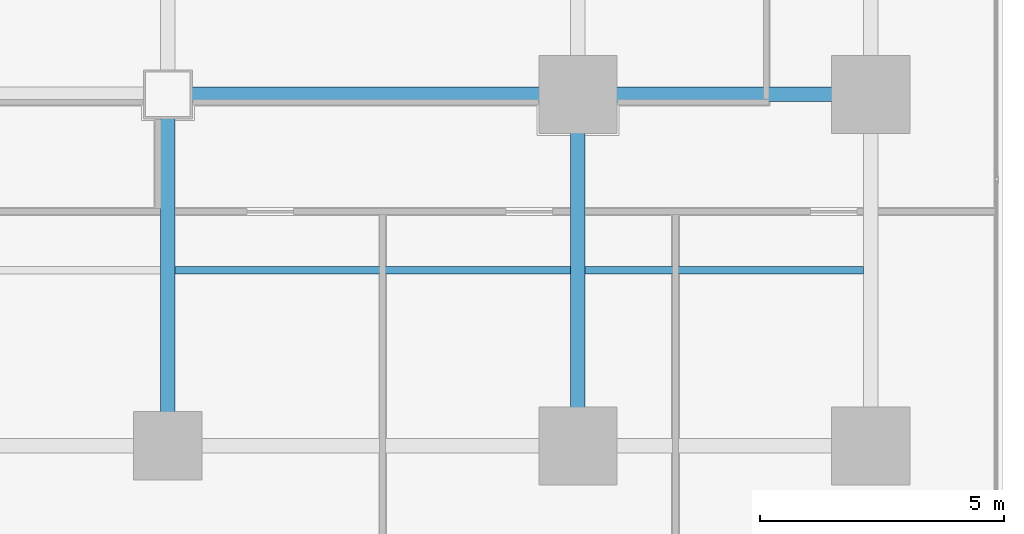
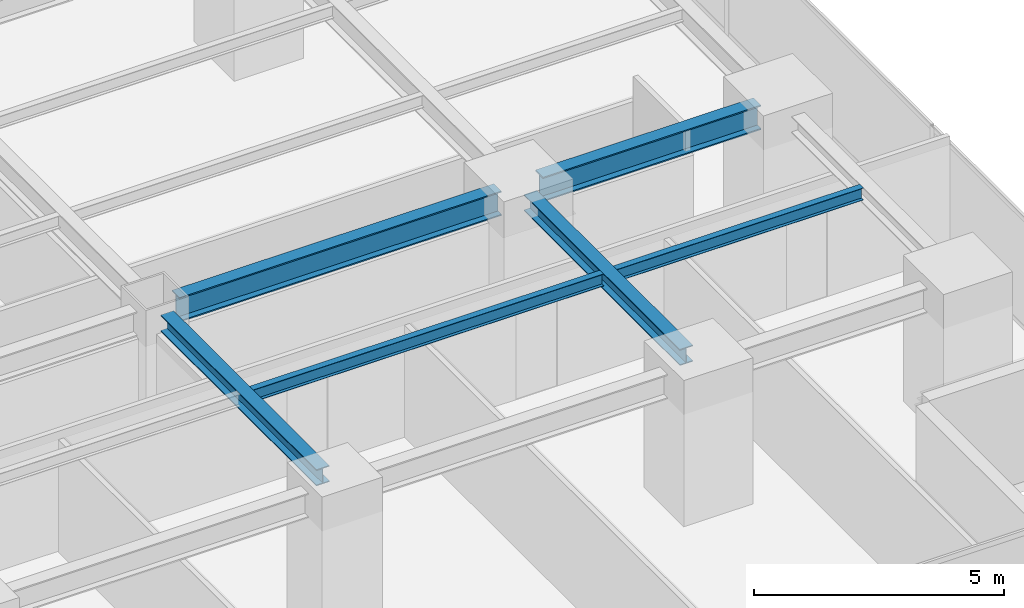
# One storey, part 13 of 37: 6 beams.
"""IFC4 building model written with IfcOpenShell, lengths in metres."""

from ifc_helpers import new_model, si_unit, direction, frame, origin, origin_2d, place, context, subcontext, project, spatial, i_section, extrude, source, transform, mapped, material, material_profile, profile_set, type_object, element, save


model = new_model("IFC4")

# Units and contexts
model_context = context("Model", 3, precision=1e-05, world=origin(), true_north=direction((0.0, 1.0)))
body_context = subcontext(model_context, "Body", "Model", "MODEL_VIEW")
ifc_project = project(units=[si_unit("LENGTHUNIT", "METRE"), si_unit("AREAUNIT", "SQUARE_METRE"), si_unit("VOLUMEUNIT", "CUBIC_METRE"), si_unit("PLANEANGLEUNIT", "RADIAN"), si_unit("MASSUNIT", "GRAM", prefix="KILO")], contexts=[model_context])

# Site, building, storey
site_placement = place(None, origin())
site = spatial("IfcSite", under=ifc_project, at=site_placement, CompositionType="ELEMENT")
building_placement = place(site_placement, origin())
building = spatial("IfcBuilding", under=site, at=building_placement, Name="Sumidabori Civic Tower", CompositionType="ELEMENT")
storey_placement = place(building_placement, frame((0.0, 0.0, 81.199951171875)))
storey = spatial("IfcBuildingStorey", under=building, at=storey_placement, Name="L20", CompositionType="ELEMENT", Elevation=81.199951171875)

# Beams
ifc_material = material(Name="Steel SN490", Category="steel")
ifc_material_profile_1 = material_profile(ifc_material, i_section(OverallWidth=0.300048828125, OverallDepth=0.60009765625, WebThickness=0.015380859375, FlangeThickness=0.030029296875, at=origin_2d()), Name="HE 600 B")
ifc_profile_set_1 = profile_set([ifc_material_profile_1], Name="Steel SN490")
beam_type_1 = type_object("IfcBeamType", Name="BM-GIRD-600", PredefinedType="BEAM", material=ifc_profile_set_1)
shared_shape_1 = source(origin(), body_context, "Body", "SweptSolid", [
    extrude(i_section(OverallWidth=0.300048828125, OverallDepth=0.60009765625, WebThickness=0.015380859375, FlangeThickness=0.030029296875, at=origin_2d()), origin(), (0.0, 0.0, 1.0), 5.0400390625),
])
beam_1_placement = place(storey_placement, frame((17.280029296875, -10.800048828125, 3.06005859375), z_axis=(1.0, 0.0, 0.0), x_axis=(0.0, 1.0, 0.0)))
element("IfcBeam", 1, at=beam_1_placement, inside=storey, type_object=beam_type_1, Name="Primary Girder L20 GX-12", PredefinedType="BEAM", context=body_context, shape_type="MappedRepresentation", body=[
    mapped(shared_shape_1, transform((0.0, 0.0, 0.0), x_axis=(1.0, 0.0, 0.0), y_axis=(0.0, 1.0, 0.0), z_axis=(0.0, 0.0, 1.0), scale=1.0)),
])
shared_shape_2 = source(origin(), body_context, "Body", "SweptSolid", [
    extrude(i_section(OverallWidth=0.300048828125, OverallDepth=0.60009765625, WebThickness=0.015380859375, FlangeThickness=0.030029296875, at=origin_2d()), origin(), (0.0, 0.0, 1.0), 7.440185546875),
])
beam_2_placement = place(storey_placement, frame((8.8798828125, -10.800048828125, 3.06005859375), z_axis=(1.0, 0.0, 0.0), x_axis=(0.0, 1.0, 0.0)))
element("IfcBeam", 2, at=beam_2_placement, inside=storey, type_object=beam_type_1, Name="Primary Girder L20 GX-11", PredefinedType="BEAM", context=body_context, shape_type="MappedRepresentation", body=[
    mapped(shared_shape_2, transform((0.0, 0.0, 0.0), x_axis=(1.0, 0.0, 0.0), y_axis=(0.0, 1.0, 0.0), z_axis=(0.0, 0.0, 1.0), scale=1.0)),
])
ifc_material_profile_2 = material_profile(ifc_material, i_section(OverallWidth=0.300048828125, OverallDepth=0.39990234375, WebThickness=0.013427734375, FlangeThickness=0.02392578125, at=origin_2d()), Name="HE 400 B")
ifc_profile_set_2 = profile_set([ifc_material_profile_2], Name="Steel SN490")
beam_type_2 = type_object("IfcBeamType", Name="BM-GIRD-400", PredefinedType="BEAM", material=ifc_profile_set_2)
shared_shape_3 = source(origin(), body_context, "Body", "SweptSolid", [
    extrude(i_section(OverallWidth=0.300048828125, OverallDepth=0.39990234375, WebThickness=0.013427734375, FlangeThickness=0.02392578125, at=origin_2d()), origin(), (0.0, 0.0, 1.0), 6.239990234375),
])
for number, where, z_axis, x_axis, name in (
    (3, (8.39990234375, -17.52001953125, 3.16015625), (0.0, 1.0, 0.0), (-1.0, 0.0, 0.0), "Primary Girder L20 GY-33"),
    (4, (16.800048828125, -17.52001953125, 3.16015625), (0.0, 1.0, 0.0), (-1.0, 0.0, 0.0), "Primary Girder L20 GY-35"),
):
    element("IfcBeam", number, at=place(storey_placement, frame(where, z_axis=z_axis, x_axis=x_axis)), inside=storey, type_object=beam_type_2, Name=name, PredefinedType="BEAM", context=body_context, shape_type="MappedRepresentation", body=[
        mapped(shared_shape_3, transform((0.0, 0.0, 0.0), x_axis=(1.0, 0.0, 0.0), y_axis=(0.0, 1.0, 0.0), z_axis=(0.0, 0.0, 1.0), scale=1.0)),
    ])
ifc_material_profile_3 = material_profile(ifc_material, i_section(OverallWidth=0.14990234375, OverallDepth=0.300048828125, WebThickness=0.007080078125, FlangeThickness=0.0107421875, at=origin_2d()), Name="IPE 300")
ifc_profile_set_3 = profile_set([ifc_material_profile_3], Name="Steel SN490")
beam_type_3 = type_object("IfcBeamType", Name="BM-JST-300", PredefinedType="JOIST", material=ifc_profile_set_3)
shared_shape_4 = source(origin(), body_context, "Body", "SweptSolid", [
    extrude(i_section(OverallWidth=0.14990234375, OverallDepth=0.300048828125, WebThickness=0.007080078125, FlangeThickness=0.0107421875, at=origin_2d()), origin(), (0.0, 0.0, 1.0), 5.699951171875),
])
beam_3_placement = place(storey_placement, frame((16.949951171875, -14.39990234375, 3.2099609375), z_axis=(1.0, 0.0, 0.0), x_axis=(0.0, 1.0, 0.0)))
element("IfcBeam", 5, at=beam_3_placement, inside=storey, type_object=beam_type_3, Name="Outer Bay Floor Joist L20 JSTO-52", PredefinedType="JOIST", context=body_context, shape_type="MappedRepresentation", body=[
    mapped(shared_shape_4, transform((0.0, 0.0, 0.0), x_axis=(1.0, 0.0, 0.0), y_axis=(0.0, 1.0, 0.0), z_axis=(0.0, 0.0, 1.0), scale=1.0)),
])
shared_shape_5 = source(origin(), body_context, "Body", "SweptSolid", [
    extrude(i_section(OverallWidth=0.14990234375, OverallDepth=0.300048828125, WebThickness=0.007080078125, FlangeThickness=0.0107421875, at=origin_2d()), origin(), (0.0, 0.0, 1.0), 8.099853515625),
])
beam_4_placement = place(storey_placement, frame((8.550048828125, -14.39990234375, 3.2099609375), z_axis=(1.0, 0.0, 0.0), x_axis=(0.0, 1.0, 0.0)))
element("IfcBeam", 6, at=beam_4_placement, inside=storey, type_object=beam_type_3, Name="South Bay Floor Joist L20 JSTS-58", PredefinedType="JOIST", context=body_context, shape_type="MappedRepresentation", body=[
    mapped(shared_shape_5, transform((0.0, 0.0, 0.0), x_axis=(1.0, 0.0, 0.0), y_axis=(0.0, 1.0, 0.0), z_axis=(0.0, 0.0, 1.0), scale=1.0)),
])

save(model, "model.ifc")
